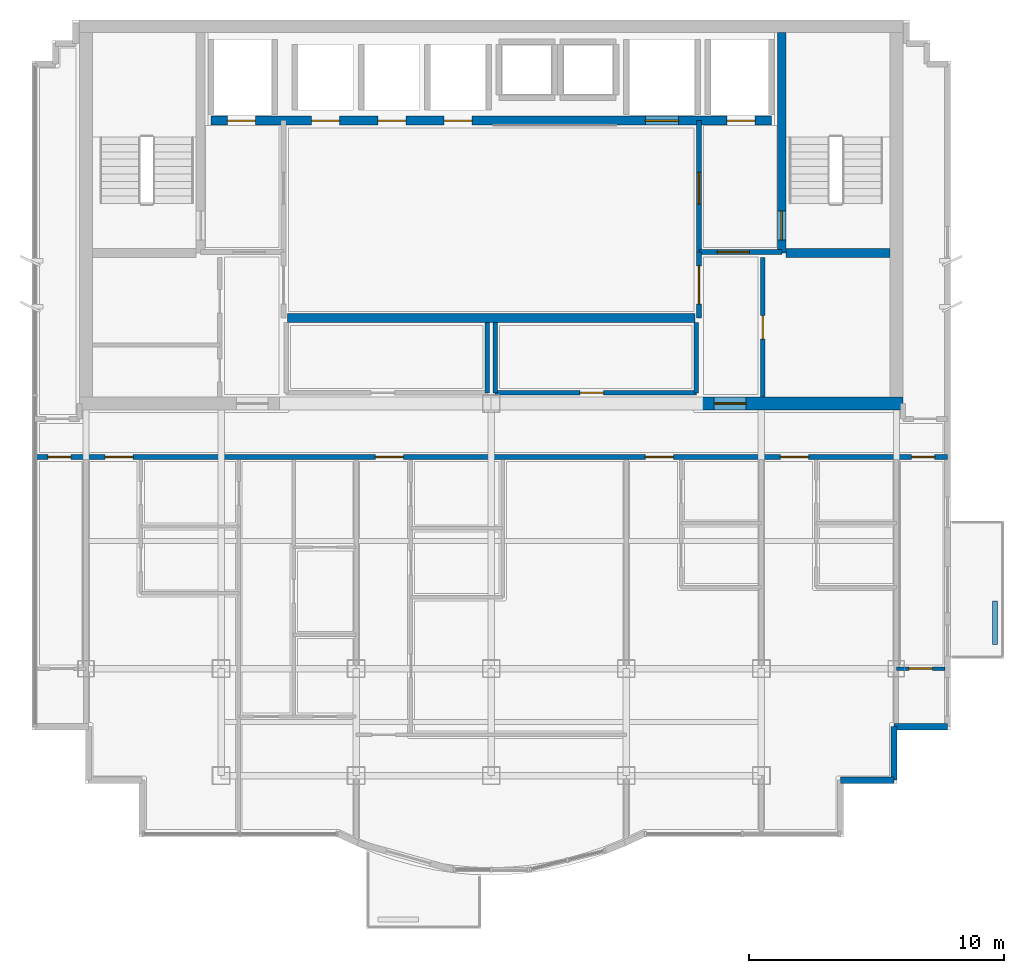
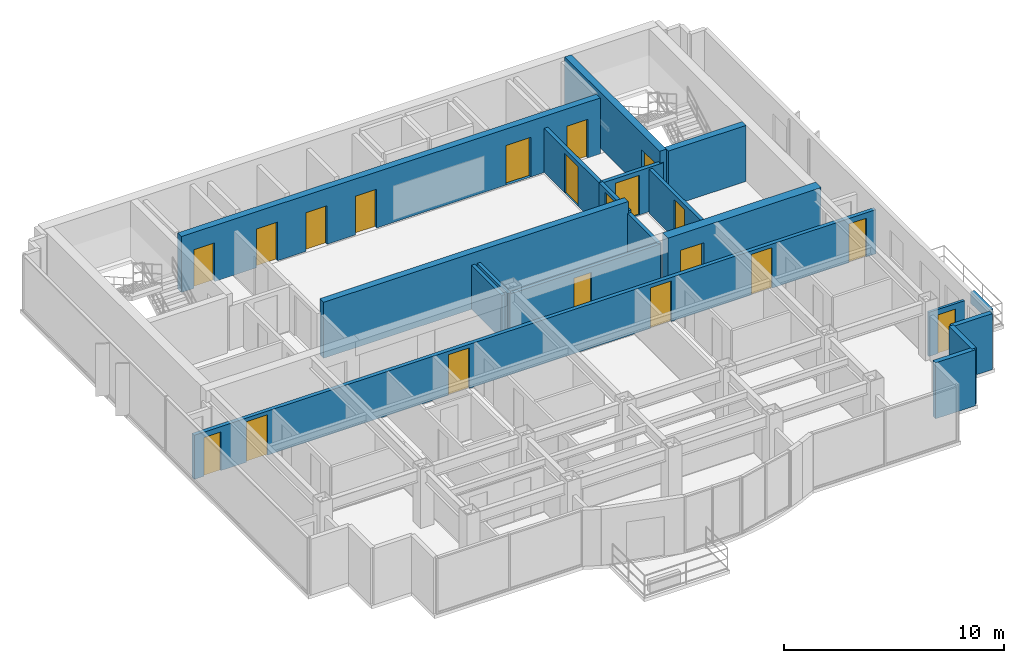
# One storey, part 6 of 9: 20 doors, 19 walls, 20 openings.
"""IFC4 building model written with IfcOpenShell, lengths in metres."""

from ifc_helpers import new_model, si_unit, direction, frame, frame_2d, origin, place, context, subcontext, project, spatial, rectangle, extrude, material, layer, layer_set, type_object, element, fill, save


model = new_model("IFC4")

# Units and contexts
model_context = context("Model", 3, precision=1e-05, world=origin(), true_north=direction((0.0, 1.0)))
body_context = subcontext(model_context, "Body", "Model", "MODEL_VIEW")
ifc_project = project(units=[si_unit("LENGTHUNIT", "METRE"), si_unit("AREAUNIT", "SQUARE_METRE"), si_unit("VOLUMEUNIT", "CUBIC_METRE"), si_unit("PLANEANGLEUNIT", "RADIAN"), si_unit("MASSUNIT", "GRAM", prefix="KILO")], contexts=[model_context])

# Site, building, storey
site_placement = place(None, origin())
site = spatial("IfcSite", under=ifc_project, at=site_placement, CompositionType="ELEMENT")
building_placement = place(site_placement, origin())
building = spatial("IfcBuilding", under=site, at=building_placement, Name="Qianlan Lanfeng Residences", CompositionType="ELEMENT")
storey_placement = place(building_placement, frame((0.0, 0.0, 246.199951171875)))
storey = spatial("IfcBuildingStorey", under=building, at=storey_placement, Name="L68", CompositionType="ELEMENT", Elevation=246.199951171875)

# Wall, opening, door
ifc_material_1 = material(Name="Concrete C49", Category="concrete")
ifc_layer_1 = layer(ifc_material_1, 0.35009765625)
ifc_layer_set_1 = layer_set([ifc_layer_1], Name="Concrete C49")
wall_type_1 = type_object("IfcWallType", Name="CW-RC-350", PredefinedType="SHEAR", material=ifc_layer_set_1)
wall_1_placement = place(storey_placement, frame((37.89990234375, 31.10009765625, 0.0), z_axis=(0.0, 0.0, 1.0), x_axis=(0.0, 1.0, 0.0)))
wall_1 = element("IfcWall", 1, at=wall_1_placement, inside=storey, type_object=wall_type_1, Name="L68 Core Shear Wall ST2W", PredefinedType="SHEAR", context=body_context, shape_type="SweptSolid", body=[
    extrude(rectangle(XDim=8.64990234375, YDim=0.35009765625, at=frame_2d((4.324951171875, 0.0))), origin(), (0.0, 0.0, 1.0), 3.110107421875),
])
opening_1_placement = place(wall_1_placement, frame((0.510009765625, 0.0, 0.0)))
opening_1 = element("IfcOpeningElement", 2, at=opening_1_placement, cuts=wall_1, Name="Opening L68-D08", PredefinedType="OPENING", context=body_context, shape_type="SweptSolid", body=[
    extrude(rectangle(XDim=1.14990234375, YDim=2.199951171875, at=frame_2d((0.574951171875, 1.10009765625))), frame((0.0, 0.18505859375, 0.0), z_axis=(0.0, -1.0, 0.0), x_axis=(1.0, 0.0, 0.0)), (0.0, 0.0, 1.0), 0.3701171875),
])
ifc_material_2 = material(Name="Painted Galvanised Steel Fire Door", Category="steel")
door_type_1 = type_object("IfcDoorType", Name="DT-ST1", OperationType="NOTDEFINED", PredefinedType="DOOR", material=ifc_material_2)
door_1_placement = place(opening_1_placement, origin())
door_1 = element("IfcDoor", 3, at=door_1_placement, inside=storey, type_object=door_type_1, Name="L68 Exit Stair ST-2 Door L68-D08 (DT-ST1)", OperationType="SINGLE_SWING_RIGHT", OverallHeight=2.199951171875, OverallWidth=1.14990234375, PredefinedType="DOOR", context=body_context, shape_type="SweptSolid", body=[
    extrude(rectangle(XDim=1.14990234375, YDim=2.199951171875, at=frame_2d((0.574951171875, 1.10009765625))), frame((0.0, 0.02490234375, 0.0), z_axis=(0.0, -1.0, 0.0), x_axis=(1.0, 0.0, 0.0)), (0.0, 0.0, 1.0), 0.050048828125),
])
fill(opening_1, door_1)

# Wall
wall_2_placement = place(storey_placement, frame((38.074951171875, 31.10009765625, 0.0), z_axis=(0.0, 0.0, 1.0), x_axis=(1.0, 0.0, 0.0)))
element("IfcWall", 4, at=wall_2_placement, inside=storey, type_object=wall_type_1, Name="L68 Core Shear Wall ST2S", PredefinedType="SHEAR", context=body_context, shape_type="SweptSolid", body=[
    extrude(rectangle(XDim=4.074951171875, YDim=0.35009765625, at=frame_2d((2.03759765625, 0.0))), origin(), (0.0, 0.0, 1.0), 3.110107421875),
])

# Wall, openings, doors
wall_3_placement = place(storey_placement, frame((15.5, 36.300048828125, 0.0), z_axis=(0.0, 0.0, 1.0), x_axis=(1.0, 0.0, 0.0)))
wall_3 = element("IfcWall", 5, at=wall_3_placement, inside=storey, type_object=wall_type_1, Name="L68 Core Shear Wall LBN", PredefinedType="SHEAR", context=body_context, shape_type="SweptSolid", body=[
    extrude(rectangle(XDim=22.0, YDim=0.35009765625, at=frame_2d((11.0, 0.0))), origin(), (0.0, 0.0, 1.0), 3.110107421875),
])
opening_2_placement = place(wall_3_placement, frame((0.64990234375, 0.0, 0.0)))
opening_2 = element("IfcOpeningElement", 6, at=opening_2_placement, cuts=wall_3, Name="Opening L68-LD-FFL-1", PredefinedType="OPENING", context=body_context, shape_type="SweptSolid", body=[
    extrude(rectangle(XDim=1.10009765625, YDim=2.14990234375, at=frame_2d((0.550048828125, 1.074951171875))), frame((0.0, 0.18505859375, 0.0), z_axis=(0.0, -1.0, 0.0), x_axis=(1.0, 0.0, 0.0)), (0.0, 0.0, 1.0), 0.3701171875),
])
opening_3_placement = place(wall_3_placement, frame((20.25, 0.0, 0.0)))
opening_3 = element("IfcOpeningElement", 7, at=opening_3_placement, cuts=wall_3, Name="Opening L68-LD-FFL-2", PredefinedType="OPENING", context=body_context, shape_type="SweptSolid", body=[
    extrude(rectangle(XDim=1.10009765625, YDim=2.14990234375, at=frame_2d((0.550048828125, 1.074951171875))), frame((0.0, 0.18505859375, 0.0), z_axis=(0.0, -1.0, 0.0), x_axis=(1.0, 0.0, 0.0)), (0.0, 0.0, 1.0), 0.3701171875),
])
opening_4_placement = place(wall_3_placement, frame((17.050048828125, 0.0, 0.0)))
opening_4 = element("IfcOpeningElement", 8, at=opening_4_placement, cuts=wall_3, Name="Opening L68-LD-SVL-1", PredefinedType="OPENING", context=body_context, shape_type="SweptSolid", body=[
    extrude(rectangle(XDim=1.300048828125, YDim=2.199951171875, at=frame_2d((0.64990234375, 1.10009765625))), frame((0.0, 0.18505859375, 0.0), z_axis=(0.0, -1.0, 0.0), x_axis=(1.0, 0.0, 0.0)), (0.0, 0.0, 1.0), 0.3701171875),
])
opening_5_placement = place(wall_3_placement, frame((3.949951171875, 0.0, 0.0)))
opening_5 = element("IfcOpeningElement", 9, at=opening_5_placement, cuts=wall_3, Name="Opening L68-LD-PL-H1", PredefinedType="OPENING", context=body_context, shape_type="SweptSolid", body=[
    extrude(rectangle(XDim=1.10009765625, YDim=2.14990234375, at=frame_2d((0.550048828125, 1.074951171875))), frame((0.0, 0.18505859375, 0.0), z_axis=(0.0, -1.0, 0.0), x_axis=(1.0, 0.0, 0.0)), (0.0, 0.0, 1.0), 0.3701171875),
])
opening_6_placement = place(wall_3_placement, frame((6.550048828125, 0.0, 0.0)))
opening_6 = element("IfcOpeningElement", 10, at=opening_6_placement, cuts=wall_3, Name="Opening L68-LD-PL-H2", PredefinedType="OPENING", context=body_context, shape_type="SweptSolid", body=[
    extrude(rectangle(XDim=1.10009765625, YDim=2.14990234375, at=frame_2d((0.550048828125, 1.074951171875))), frame((0.0, 0.18505859375, 0.0), z_axis=(0.0, -1.0, 0.0), x_axis=(1.0, 0.0, 0.0)), (0.0, 0.0, 1.0), 0.3701171875),
])
opening_7_placement = place(wall_3_placement, frame((9.14990234375, 0.0, 0.0)))
opening_7 = element("IfcOpeningElement", 11, at=opening_7_placement, cuts=wall_3, Name="Opening L68-LD-PL-H3", PredefinedType="OPENING", context=body_context, shape_type="SweptSolid", body=[
    extrude(rectangle(XDim=1.10009765625, YDim=2.14990234375, at=frame_2d((0.550048828125, 1.074951171875))), frame((0.0, 0.18505859375, 0.0), z_axis=(0.0, -1.0, 0.0), x_axis=(1.0, 0.0, 0.0)), (0.0, 0.0, 1.0), 0.3701171875),
])
ifc_material_3 = material(Name="Brushed Stainless Steel Sliding Lift Door", Category="steel")
door_type_2 = type_object("IfcDoorType", Name="LD-01", OperationType="NOTDEFINED", PredefinedType="DOOR", material=ifc_material_3)
door_2_placement = place(opening_2_placement, frame((1.10009765625, 0.0, 0.0), z_axis=(0.0, 0.0, 1.0), x_axis=(-1.0, 0.0, 0.0)))
door_2 = element("IfcDoor", 12, at=door_2_placement, inside=storey, type_object=door_type_2, Name="L68 Elevator FFL-1 Sliding Landing Door", OperationType="DOUBLE_DOOR_SLIDING", OverallHeight=2.14990234375, OverallWidth=1.10009765625, PredefinedType="DOOR", context=body_context, shape_type="SweptSolid", body=[
    extrude(rectangle(XDim=1.10009765625, YDim=2.14990234375, at=frame_2d((0.550048828125, 1.074951171875))), frame((0.0, 0.02490234375, 0.0), z_axis=(0.0, -1.0, 0.0), x_axis=(1.0, 0.0, 0.0)), (0.0, 0.0, 1.0), 0.050048828125),
])
fill(opening_2, door_2)
door_3_placement = place(opening_3_placement, frame((1.10009765625, 0.0, 0.0), z_axis=(0.0, 0.0, 1.0), x_axis=(-1.0, 0.0, 0.0)))
door_3 = element("IfcDoor", 13, at=door_3_placement, inside=storey, type_object=door_type_2, Name="L68 Elevator FFL-2 Sliding Landing Door", OperationType="DOUBLE_DOOR_SLIDING", OverallHeight=2.14990234375, OverallWidth=1.10009765625, PredefinedType="DOOR", context=body_context, shape_type="SweptSolid", body=[
    extrude(rectangle(XDim=1.10009765625, YDim=2.14990234375, at=frame_2d((0.550048828125, 1.074951171875))), frame((0.0, 0.02490234375, 0.0), z_axis=(0.0, -1.0, 0.0), x_axis=(1.0, 0.0, 0.0)), (0.0, 0.0, 1.0), 0.050048828125),
])
fill(opening_3, door_3)
door_4_placement = place(opening_5_placement, frame((1.10009765625, 0.0, 0.0), z_axis=(0.0, 0.0, 1.0), x_axis=(-1.0, 0.0, 0.0)))
door_4 = element("IfcDoor", 14, at=door_4_placement, inside=storey, type_object=door_type_2, Name="L68 Elevator PL-H1 Sliding Landing Door", OperationType="DOUBLE_DOOR_SLIDING", OverallHeight=2.14990234375, OverallWidth=1.10009765625, PredefinedType="DOOR", context=body_context, shape_type="SweptSolid", body=[
    extrude(rectangle(XDim=1.10009765625, YDim=2.14990234375, at=frame_2d((0.550048828125, 1.074951171875))), frame((0.0, 0.02490234375, 0.0), z_axis=(0.0, -1.0, 0.0), x_axis=(1.0, 0.0, 0.0)), (0.0, 0.0, 1.0), 0.050048828125),
])
fill(opening_5, door_4)
door_5_placement = place(opening_6_placement, frame((1.10009765625, 0.0, 0.0), z_axis=(0.0, 0.0, 1.0), x_axis=(-1.0, 0.0, 0.0)))
door_5 = element("IfcDoor", 15, at=door_5_placement, inside=storey, type_object=door_type_2, Name="L68 Elevator PL-H2 Sliding Landing Door", OperationType="DOUBLE_DOOR_SLIDING", OverallHeight=2.14990234375, OverallWidth=1.10009765625, PredefinedType="DOOR", context=body_context, shape_type="SweptSolid", body=[
    extrude(rectangle(XDim=1.10009765625, YDim=2.14990234375, at=frame_2d((0.550048828125, 1.074951171875))), frame((0.0, 0.02490234375, 0.0), z_axis=(0.0, -1.0, 0.0), x_axis=(1.0, 0.0, 0.0)), (0.0, 0.0, 1.0), 0.050048828125),
])
fill(opening_6, door_5)
door_6_placement = place(opening_7_placement, frame((1.10009765625, 0.0, 0.0), z_axis=(0.0, 0.0, 1.0), x_axis=(-1.0, 0.0, 0.0)))
door_6 = element("IfcDoor", 16, at=door_6_placement, inside=storey, type_object=door_type_2, Name="L68 Elevator PL-H3 Sliding Landing Door", OperationType="DOUBLE_DOOR_SLIDING", OverallHeight=2.14990234375, OverallWidth=1.10009765625, PredefinedType="DOOR", context=body_context, shape_type="SweptSolid", body=[
    extrude(rectangle(XDim=1.10009765625, YDim=2.14990234375, at=frame_2d((0.550048828125, 1.074951171875))), frame((0.0, 0.02490234375, 0.0), z_axis=(0.0, -1.0, 0.0), x_axis=(1.0, 0.0, 0.0)), (0.0, 0.0, 1.0), 0.050048828125),
])
fill(opening_7, door_6)
door_type_3 = type_object("IfcDoorType", Name="LD-02", OperationType="NOTDEFINED", PredefinedType="DOOR", material=ifc_material_3)
door_7_placement = place(opening_4_placement, frame((1.300048828125, 0.0, 0.0), z_axis=(0.0, 0.0, 1.0), x_axis=(-1.0, 0.0, 0.0)))
door_7 = element("IfcDoor", 17, at=door_7_placement, inside=storey, type_object=door_type_3, Name="L68 Elevator SVL-1 Sliding Landing Door", OperationType="DOUBLE_DOOR_SLIDING", OverallHeight=2.199951171875, OverallWidth=1.300048828125, PredefinedType="DOOR", context=body_context, shape_type="SweptSolid", body=[
    extrude(rectangle(XDim=1.300048828125, YDim=2.199951171875, at=frame_2d((0.64990234375, 1.10009765625))), frame((0.0, 0.02490234375, 0.0), z_axis=(0.0, -1.0, 0.0), x_axis=(1.0, 0.0, 0.0)), (0.0, 0.0, 1.0), 0.050048828125),
])
fill(opening_4, door_7)

# Wall
wall_4_placement = place(storey_placement, frame((18.5, 28.550048828125, 0.0), z_axis=(0.0, 0.0, 1.0), x_axis=(1.0, 0.0, 0.0)))
element("IfcWall", 18, at=wall_4_placement, inside=storey, type_object=wall_type_1, Name="L68 Core Shear Wall LBS", PredefinedType="SHEAR", context=body_context, shape_type="SweptSolid", body=[
    extrude(rectangle(XDim=16.0, YDim=0.35009765625, at=frame_2d((8.0, 0.0))), origin(), (0.0, 0.0, 1.0), 3.110107421875),
])

# Wall, opening, door
ifc_material_4 = material(Name="Concrete C70", Category="concrete")
ifc_layer_2 = layer(ifc_material_4, 0.5)
ifc_layer_set_2 = layer_set([ifc_layer_2], Name="Concrete C70")
wall_type_2 = type_object("IfcWallType", Name="CW-RC-500", PredefinedType="SHEAR", material=ifc_layer_set_2)
wall_5_placement = place(storey_placement, frame((34.60009765625, 25.199951171875, 0.0), z_axis=(0.0, 0.0, 1.0), x_axis=(1.0, 0.0, 0.0)))
wall_5 = element("IfcWall", 19, at=wall_5_placement, inside=storey, type_object=wall_type_2, Name="L68 Core Shear Wall SE", PredefinedType="SHEAR", context=body_context, shape_type="SweptSolid", body=[
    extrude(rectangle(XDim=8.0498046875, YDim=0.5, at=frame_2d((4.02490234375, 0.0))), origin(), (0.0, 0.0, 1.0), 3.110107421875),
])
opening_8_placement = place(wall_5_placement, frame((0.64990234375, 0.0, 0.0)))
opening_8 = element("IfcOpeningElement", 20, at=opening_8_placement, cuts=wall_5, Name="Opening L68-D02", PredefinedType="OPENING", context=body_context, shape_type="SweptSolid", body=[
    extrude(rectangle(XDim=1.25, YDim=2.199951171875, at=frame_2d((0.625, 1.10009765625))), frame((0.0, 0.260009765625, 0.0), z_axis=(0.0, -1.0, 0.0), x_axis=(1.0, 0.0, 0.0)), (0.0, 0.0, 1.0), 0.52001953125),
])
door_type_4 = type_object("IfcDoorType", Name="DT-FFL", OperationType="NOTDEFINED", PredefinedType="DOOR", material=ifc_material_2)
door_8_placement = place(opening_8_placement, frame((1.25, 0.0, 0.0), z_axis=(0.0, 0.0, 1.0), x_axis=(-1.0, 0.0, 0.0)))
door_8 = element("IfcDoor", 21, at=door_8_placement, inside=storey, type_object=door_type_4, Name="L68 East Core Lobby Smoke Door L68-D02 (DT-FFL)", OperationType="SINGLE_SWING_LEFT", OverallHeight=2.199951171875, OverallWidth=1.25, PredefinedType="DOOR", context=body_context, shape_type="SweptSolid", body=[
    extrude(rectangle(XDim=1.25, YDim=2.199951171875, at=frame_2d((0.625, 1.10009765625))), frame((0.0, 0.02490234375, 0.0), z_axis=(0.0, -1.0, 0.0), x_axis=(1.0, 0.0, 0.0)), (0.0, 0.0, 1.0), 0.050048828125),
])
fill(opening_8, door_8)

# Walls
ifc_material_5 = material(Name="Concrete C42", Category="concrete")
ifc_layer_3 = layer(ifc_material_5, 0.239990234375)
ifc_layer_set_3 = layer_set([ifc_layer_3], Name="Concrete C42")
wall_type_3 = type_object("IfcWallType", Name="EW-240", PredefinedType="SOLIDWALL", material=ifc_layer_set_3)
for number, where, z_axis, x_axis, name in (
    (22, (40.199951171875, 10.419921875, 0.0), (0.0, 0.0, 1.0), (1.0, 0.0, 0.0), "L68 Exterior Facade Spandrel Wall 10"),
    (23, (42.300048828125, 10.419921875, 0.0), (0.0, 0.0, 1.0), (0.0, 1.0, 0.0), "L68 Exterior Facade Spandrel Wall 11"),
):
    element("IfcWall", number, at=place(storey_placement, frame(where, z_axis=z_axis, x_axis=x_axis)), inside=storey, type_object=wall_type_3, Name=name, PredefinedType="SOLIDWALL", context=body_context, shape_type="SweptSolid", body=[
        extrude(rectangle(XDim=2.10009765625, YDim=0.239990234375, at=frame_2d((1.050048828125, 0.0))), origin(), (0.0, 0.0, 1.0), 3.110107421875),
    ])
wall_6_placement = place(storey_placement, frame((42.300048828125, 12.52001953125, 0.0), z_axis=(0.0, 0.0, 1.0), x_axis=(1.0, 0.0, 0.0)))
element("IfcWall", 24, at=wall_6_placement, inside=storey, type_object=wall_type_3, Name="L68 Exterior Facade Spandrel Wall 12", PredefinedType="SOLIDWALL", context=body_context, shape_type="SweptSolid", body=[
    extrude(rectangle(XDim=2.099853515625, YDim=0.239990234375, at=frame_2d((1.0498046875, 0.0))), origin(), (0.0, 0.0, 1.0), 3.110107421875),
])
ifc_layer_4 = layer(ifc_material_5, 0.199951171875)
ifc_layer_set_4 = layer_set([ifc_layer_4], Name="Concrete C42")
wall_type_4 = type_object("IfcWallType", Name="PL-TREE-200", PredefinedType="PARAPET", material=ifc_layer_set_4)
wall_7_placement = place(storey_placement, frame((46.27001953125, 15.75, 0.0), z_axis=(0.0, 0.0, 1.0), x_axis=(0.0, 1.0, 0.0)))
element("IfcWall", 25, at=wall_7_placement, inside=storey, type_object=wall_type_4, Name="L68 East Tree Planter Curb EB-S", PredefinedType="PARAPET", context=body_context, shape_type="SweptSolid", body=[
    extrude(rectangle(XDim=1.699951171875, YDim=0.199951171875, at=frame_2d((0.85009765625, 0.0))), origin(), (0.0, 0.0, 1.0), 0.650146484375),
])

# Wall, opening, door
ifc_material_6 = material(Name="Moisture-Resistant Gypsum Partition 135 mm")
ifc_layer_5 = layer(ifc_material_6, 0.135009765625)
ifc_layer_set_5 = layer_set([ifc_layer_5], Name="Moisture-Resistant Gypsum Partition 135 mm")
wall_type_5 = type_object("IfcWallType", Name="PW-135", PredefinedType="PARTITIONING", material=ifc_layer_set_5)
wall_8_placement = place(storey_placement, frame((42.39990234375, 14.800048828125, 0.0), z_axis=(0.0, 0.0, 1.0), x_axis=(1.0, 0.0, 0.0)))
wall_8 = element("IfcWall", 26, at=wall_8_placement, inside=storey, type_object=wall_type_5, Name="L68 SEP Mid Partition", PredefinedType="PARTITIONING", context=body_context, shape_type="SweptSolid", body=[
    extrude(rectangle(XDim=1.900146484375, YDim=0.135009765625, at=frame_2d((0.9501953125, 0.0))), origin(), (0.0, 0.0, 1.0), 2.449951171875),
])
opening_9_placement = place(wall_8_placement, frame((0.489990234375, 0.0, 0.0)))
opening_9 = element("IfcOpeningElement", 27, at=opening_9_placement, cuts=wall_8, Name="Opening L68-D37", PredefinedType="OPENING", context=body_context, shape_type="SweptSolid", body=[
    extrude(rectangle(XDim=0.919921875, YDim=2.14990234375, at=frame_2d((0.4599609375, 1.074951171875))), frame((0.0, 0.07763671875, 0.0), z_axis=(0.0, -1.0, 0.0), x_axis=(1.0, 0.0, 0.0)), (0.0, 0.0, 1.0), 0.155029296875),
])
ifc_material_7 = material(Name="Glazed Timber Kitchen/Study Door", Category="wood")
door_type_5 = type_object("IfcDoorType", Name="DT-INT", OperationType="NOTDEFINED", PredefinedType="DOOR", material=ifc_material_7)
door_9_placement = place(opening_9_placement, origin())
door_9 = element("IfcDoor", 28, at=door_9_placement, inside=storey, type_object=door_type_5, Name="L68 SEP Inner Door L68-D37 (DT-INT)", OperationType="SINGLE_SWING_RIGHT", OverallHeight=2.14990234375, OverallWidth=0.919921875, PredefinedType="DOOR", context=body_context, shape_type="SweptSolid", body=[
    extrude(rectangle(XDim=0.919921875, YDim=2.14990234375, at=frame_2d((0.4599609375, 1.074951171875))), frame((0.0, 0.02490234375, 0.0), z_axis=(0.0, -1.0, 0.0), x_axis=(1.0, 0.0, 0.0)), (0.0, 0.0, 1.0), 0.050048828125),
])
fill(opening_9, door_9)

ifc_material_8 = material(Name="Double-Layer Acoustic Gypsum Stud Wall 180 mm")
ifc_layer_6 = layer(ifc_material_8, 0.179931640625)
ifc_layer_set_6 = layer_set([ifc_layer_6], Name="Double-Layer Acoustic Gypsum Stud Wall 180 mm")
wall_type_6 = type_object("IfcWallType", Name="PW-180", PredefinedType="PARTITIONING", material=ifc_layer_set_6)
wall_9_placement = place(storey_placement, frame((37.14990234375, 25.449951171875, 0.0), z_axis=(0.0, 0.0, 1.0), x_axis=(0.0, 1.0, 0.0)))
wall_9 = element("IfcWall", 29, at=wall_9_placement, inside=storey, type_object=wall_type_6, Name="L68 Core East Service Room Wall", PredefinedType="PARTITIONING", context=body_context, shape_type="SweptSolid", body=[
    extrude(rectangle(XDim=5.47509765625, YDim=0.179931640625, at=frame_2d((2.737548828125, 0.0))), origin(), (0.0, 0.0, 1.0), 2.449951171875),
])
opening_10_placement = place(wall_9_placement, frame((2.277099609375, 0.0, 0.0)))
opening_10 = element("IfcOpeningElement", 30, at=opening_10_placement, cuts=wall_9, Name="Opening L68-D11", PredefinedType="OPENING", context=body_context, shape_type="SweptSolid", body=[
    extrude(rectangle(XDim=0.919921875, YDim=2.14990234375, at=frame_2d((0.4599609375, 1.074951171875))), frame((0.0, 0.10009765625, 0.0), z_axis=(0.0, -1.0, 0.0), x_axis=(1.0, 0.0, 0.0)), (0.0, 0.0, 1.0), 0.199951171875),
])
door_10_placement = place(opening_10_placement, origin())
door_10 = element("IfcDoor", 31, at=door_10_placement, inside=storey, type_object=door_type_5, Name="L68 Mail Parcel Closet Door L68-D11 (DT-INT)", OperationType="SINGLE_SWING_LEFT", OverallHeight=2.14990234375, OverallWidth=0.919921875, PredefinedType="DOOR", context=body_context, shape_type="SweptSolid", body=[
    extrude(rectangle(XDim=0.919921875, YDim=2.14990234375, at=frame_2d((0.4599609375, 1.074951171875))), frame((0.0, 0.02490234375, 0.0), z_axis=(0.0, -1.0, 0.0), x_axis=(1.0, 0.0, 0.0)), (0.0, 0.0, 1.0), 0.050048828125),
])
fill(opening_10, door_10)

# Walls
for number, where, z_axis, x_axis, name in (
    (32, (26.35009765625, 25.6201171875, 0.0), (0.0, 0.0, 1.0), (0.0, 1.0, 0.0), "L68 Reclaimed Low-Bank Room East Wall"),
    (33, (26.64990234375, 25.6201171875, 0.0), (0.0, 0.0, 1.0), (0.0, 1.0, 0.0), "L68 Reclaimed Mid-Bank Room West Wall"),
    (34, (34.550048828125, 25.6201171875, 0.0), (0.0, 0.0, 1.0), (0.0, 1.0, 0.0), "L68 Reclaimed Mid-Bank Room East Wall"),
):
    element("IfcWall", number, at=place(storey_placement, frame(where, z_axis=z_axis, x_axis=x_axis)), inside=storey, type_object=wall_type_6, Name=name, PredefinedType="PARTITIONING", context=body_context, shape_type="SweptSolid", body=[
        extrude(rectangle(XDim=2.7548828125, YDim=0.179931640625, at=frame_2d((1.37744140625, 0.0))), origin(), (0.0, 0.0, 1.0), 2.449951171875),
    ])

# Wall, opening, door
wall_10_placement = place(storey_placement, frame((26.64990234375, 25.6201171875, 0.0), z_axis=(0.0, 0.0, 1.0), x_axis=(1.0, 0.0, 0.0)))
wall_10 = element("IfcWall", 35, at=wall_10_placement, inside=storey, type_object=wall_type_6, Name="L68 Reclaimed Mid-Bank Room South Wall", PredefinedType="PARTITIONING", context=body_context, shape_type="SweptSolid", body=[
    extrude(rectangle(XDim=7.900146484375, YDim=0.179931640625, at=frame_2d((3.9501953125, 0.0))), origin(), (0.0, 0.0, 1.0), 2.449951171875),
])
opening_11_placement = place(wall_10_placement, frame((3.340087890625, 0.0, 0.0)))
opening_11 = element("IfcOpeningElement", 36, at=opening_11_placement, cuts=wall_10, Name="Opening L68-D15", PredefinedType="OPENING", context=body_context, shape_type="SweptSolid", body=[
    extrude(rectangle(XDim=0.919921875, YDim=2.14990234375, at=frame_2d((0.4599609375, 1.074951171875))), frame((0.0, 0.10009765625, 0.0), z_axis=(0.0, -1.0, 0.0), x_axis=(1.0, 0.0, 0.0)), (0.0, 0.0, 1.0), 0.199951171875),
])
door_11_placement = place(opening_11_placement, origin())
door_11 = element("IfcDoor", 37, at=door_11_placement, inside=storey, type_object=door_type_5, Name="L68 Reclaimed Mid-Bank Salon Door L68-D15 (DT-INT)", OperationType="SINGLE_SWING_LEFT", OverallHeight=2.14990234375, OverallWidth=0.919921875, PredefinedType="DOOR", context=body_context, shape_type="SweptSolid", body=[
    extrude(rectangle(XDim=0.919921875, YDim=2.14990234375, at=frame_2d((0.4599609375, 1.074951171875))), frame((0.0, 0.02490234375, 0.0), z_axis=(0.0, -1.0, 0.0), x_axis=(1.0, 0.0, 0.0)), (0.0, 0.0, 1.0), 0.050048828125),
])
fill(opening_11, door_11)

ifc_material_9 = material(Name="Autoclaved Aerated Concrete Blockwork 200 mm", Category="masonry")
ifc_layer_7 = layer(ifc_material_9, 0.199951171875)
ifc_layer_set_7 = layer_set([ifc_layer_7], Name="Autoclaved Aerated Concrete Blockwork 200 mm")
wall_type_7 = type_object("IfcWallType", Name="PW-200", PredefinedType="PARTITIONING", material=ifc_layer_set_7)
wall_11_placement = place(storey_placement, frame((34.64990234375, 31.14990234375, 0.0), z_axis=(0.0, 0.0, 1.0), x_axis=(1.0, 0.0, 0.0)))
wall_11 = element("IfcWall", 38, at=wall_11_placement, inside=storey, type_object=wall_type_7, Name="L68 Firefighting Lobby 2 South Wall", PredefinedType="PARTITIONING", context=body_context, shape_type="SweptSolid", body=[
    extrude(rectangle(XDim=3.25, YDim=0.199951171875, at=frame_2d((1.625, 0.0))), origin(), (0.0, 0.0, 1.0), 2.449951171875),
])
opening_12_placement = place(wall_11_placement, frame((0.72509765625, 0.0, 0.0)))
opening_12 = element("IfcOpeningElement", 39, at=opening_12_placement, cuts=wall_11, Name="Opening L68-D05", PredefinedType="OPENING", context=body_context, shape_type="SweptSolid", body=[
    extrude(rectangle(XDim=1.25, YDim=2.199951171875, at=frame_2d((0.625, 1.10009765625))), frame((0.0, 0.10986328125, 0.0), z_axis=(0.0, -1.0, 0.0), x_axis=(1.0, 0.0, 0.0)), (0.0, 0.0, 1.0), 0.219970703125),
])
door_12_placement = place(opening_12_placement, origin())
door_12 = element("IfcDoor", 40, at=door_12_placement, inside=storey, type_object=door_type_4, Name="L68 Firefighting Lobby 2 Entry Door L68-D05 (DT-FFL)", OperationType="SINGLE_SWING_RIGHT", OverallHeight=2.199951171875, OverallWidth=1.25, PredefinedType="DOOR", context=body_context, shape_type="SweptSolid", body=[
    extrude(rectangle(XDim=1.25, YDim=2.199951171875, at=frame_2d((0.625, 1.10009765625))), frame((0.0, 0.02490234375, 0.0), z_axis=(0.0, -1.0, 0.0), x_axis=(1.0, 0.0, 0.0)), (0.0, 0.0, 1.0), 0.050048828125),
])
fill(opening_12, door_12)

wall_12_placement = place(storey_placement, frame((34.64990234375, 31.14990234375, 0.0), z_axis=(0.0, 0.0, 1.0), x_axis=(0.0, 1.0, 0.0)))
wall_12 = element("IfcWall", 41, at=wall_12_placement, inside=storey, type_object=wall_type_7, Name="L68 Firefighting Lobby 2 West Wall", PredefinedType="PARTITIONING", context=body_context, shape_type="SweptSolid", body=[
    extrude(rectangle(XDim=5.150146484375, YDim=0.199951171875, at=frame_2d((2.5751953125, 0.0))), origin(), (0.0, 0.0, 1.0), 2.449951171875),
])
opening_13_placement = place(wall_12_placement, frame((1.875, 0.0, 0.0)))
opening_13 = element("IfcOpeningElement", 42, at=opening_13_placement, cuts=wall_12, Name="Opening L68-D06", PredefinedType="OPENING", context=body_context, shape_type="SweptSolid", body=[
    extrude(rectangle(XDim=1.25, YDim=2.199951171875, at=frame_2d((0.625, 1.10009765625))), frame((0.0, 0.10986328125, 0.0), z_axis=(0.0, -1.0, 0.0), x_axis=(1.0, 0.0, 0.0)), (0.0, 0.0, 1.0), 0.219970703125),
])
door_13_placement = place(opening_13_placement, origin())
door_13 = element("IfcDoor", 43, at=door_13_placement, inside=storey, type_object=door_type_4, Name="L68 Firefighting Lobby 2 Lift Lobby Door L68-D06 (DT-FFL)", OperationType="SINGLE_SWING_RIGHT", OverallHeight=2.199951171875, OverallWidth=1.25, PredefinedType="DOOR", context=body_context, shape_type="SweptSolid", body=[
    extrude(rectangle(XDim=1.25, YDim=2.199951171875, at=frame_2d((0.625, 1.10009765625))), frame((0.0, 0.02490234375, 0.0), z_axis=(0.0, -1.0, 0.0), x_axis=(1.0, 0.0, 0.0)), (0.0, 0.0, 1.0), 0.050048828125),
])
fill(opening_13, door_13)

wall_13_placement = place(storey_placement, frame((34.64990234375, 28.550048828125, 0.0), z_axis=(0.0, 0.0, 1.0), x_axis=(0.0, 1.0, 0.0)))
wall_13 = element("IfcWall", 44, at=wall_13_placement, inside=storey, type_object=wall_type_7, Name="L68 Lift Lobby East Connector Wall", PredefinedType="PARTITIONING", context=body_context, shape_type="SweptSolid", body=[
    extrude(rectangle(XDim=2.599853515625, YDim=0.199951171875, at=frame_2d((1.2998046875, 0.0))), origin(), (0.0, 0.0, 1.0), 2.449951171875),
])
opening_14_placement = place(wall_13_placement, frame((0.550048828125, 0.0, 0.0)))
opening_14 = element("IfcOpeningElement", 45, at=opening_14_placement, cuts=wall_13, Name="Opening L68-D13", PredefinedType="OPENING", context=body_context, shape_type="SweptSolid", body=[
    extrude(rectangle(XDim=1.5, YDim=2.25, at=frame_2d((0.75, 1.125))), frame((0.0, 0.10986328125, 0.0), z_axis=(0.0, -1.0, 0.0), x_axis=(1.0, 0.0, 0.0)), (0.0, 0.0, 1.0), 0.219970703125),
])
ifc_material_10 = material(Name="Timber Veneer Acoustic Fire Door", Category="wood")
door_type_6 = type_object("IfcDoorType", Name="DT-COR1", OperationType="NOTDEFINED", PredefinedType="DOOR", material=ifc_material_10)
door_14_placement = place(opening_14_placement, frame((1.5, 0.0, 0.0), z_axis=(0.0, 0.0, 1.0), x_axis=(-1.0, 0.0, 0.0)))
door_14 = element("IfcDoor", 46, at=door_14_placement, inside=storey, type_object=door_type_6, Name="L68 Lift Lobby East Portal Door L68-D13 (DT-COR1)", OperationType="DOUBLE_DOOR_SINGLE_SWING", OverallHeight=2.25, OverallWidth=1.5, PredefinedType="DOOR", context=body_context, shape_type="SweptSolid", body=[
    extrude(rectangle(XDim=1.5, YDim=2.25, at=frame_2d((0.75, 1.125))), frame((0.0, 0.02490234375, 0.0), z_axis=(0.0, -1.0, 0.0), x_axis=(1.0, 0.0, 0.0)), (0.0, 0.0, 1.0), 0.050048828125),
])
fill(opening_14, door_14)

# Wall, openings, doors
wall_14_placement = place(storey_placement, frame((8.60009765625, 23.10009765625, 0.0), z_axis=(0.0, 0.0, 1.0), x_axis=(1.0, 0.0, 0.0)))
wall_14 = element("IfcWall", 47, at=wall_14_placement, inside=storey, type_object=wall_type_7, Name="L68 Residential Corridor South Fire Wall", PredefinedType="PARTITIONING", context=body_context, shape_type="SweptSolid", body=[
    extrude(rectangle(XDim=35.7998046875, YDim=0.199951171875, at=frame_2d((17.89990234375, 0.0))), origin(), (0.0, 0.0, 1.0), 2.449951171875),
])
opening_15_placement = place(wall_14_placement, frame((2.75, 0.0, 0.0)))
opening_15 = element("IfcOpeningElement", 48, at=opening_15_placement, cuts=wall_14, Name="Opening L68-D16", PredefinedType="OPENING", context=body_context, shape_type="SweptSolid", body=[
    extrude(rectangle(XDim=1.10009765625, YDim=2.25, at=frame_2d((0.550048828125, 1.125))), frame((0.0, 0.10986328125, 0.0), z_axis=(0.0, -1.0, 0.0), x_axis=(1.0, 0.0, 0.0)), (0.0, 0.0, 1.0), 0.219970703125),
])
opening_16_placement = place(wall_14_placement, frame((13.35009765625, 0.0, 0.0)))
opening_16 = element("IfcOpeningElement", 49, at=opening_16_placement, cuts=wall_14, Name="Opening L68-D24", PredefinedType="OPENING", context=body_context, shape_type="SweptSolid", body=[
    extrude(rectangle(XDim=1.10009765625, YDim=2.25, at=frame_2d((0.550048828125, 1.125))), frame((0.0, 0.10986328125, 0.0), z_axis=(0.0, -1.0, 0.0), x_axis=(1.0, 0.0, 0.0)), (0.0, 0.0, 1.0), 0.219970703125),
])
opening_17_placement = place(wall_14_placement, frame((23.949951171875, 0.0, 0.0)))
opening_17 = element("IfcOpeningElement", 50, at=opening_17_placement, cuts=wall_14, Name="Opening L68-D29", PredefinedType="OPENING", context=body_context, shape_type="SweptSolid", body=[
    extrude(rectangle(XDim=1.10009765625, YDim=2.25, at=frame_2d((0.550048828125, 1.125))), frame((0.0, 0.10986328125, 0.0), z_axis=(0.0, -1.0, 0.0), x_axis=(1.0, 0.0, 0.0)), (0.0, 0.0, 1.0), 0.219970703125),
])
opening_18_placement = place(wall_14_placement, frame((29.25, 0.0, 0.0)))
opening_18 = element("IfcOpeningElement", 51, at=opening_18_placement, cuts=wall_14, Name="Opening L68-D32", PredefinedType="OPENING", context=body_context, shape_type="SweptSolid", body=[
    extrude(rectangle(XDim=1.10009765625, YDim=2.25, at=frame_2d((0.550048828125, 1.125))), frame((0.0, 0.10986328125, 0.0), z_axis=(0.0, -1.0, 0.0), x_axis=(1.0, 0.0, 0.0)), (0.0, 0.0, 1.0), 0.219970703125),
])
opening_19_placement = place(wall_14_placement, frame((0.5048828125, 0.0, 0.0)))
opening_19 = element("IfcOpeningElement", 52, at=opening_19_placement, cuts=wall_14, Name="Opening L68-D36", PredefinedType="OPENING", context=body_context, shape_type="SweptSolid", body=[
    extrude(rectangle(XDim=0.89990234375, YDim=2.14990234375, at=frame_2d((0.449951171875, 1.074951171875))), frame((0.0, 0.10986328125, 0.0), z_axis=(0.0, -1.0, 0.0), x_axis=(1.0, 0.0, 0.0)), (0.0, 0.0, 1.0), 0.219970703125),
])
opening_20_placement = place(wall_14_placement, frame((34.39501953125, 0.0, 0.0)))
opening_20 = element("IfcOpeningElement", 53, at=opening_20_placement, cuts=wall_14, Name="Opening L68-D38", PredefinedType="OPENING", context=body_context, shape_type="SweptSolid", body=[
    extrude(rectangle(XDim=0.89990234375, YDim=2.14990234375, at=frame_2d((0.449951171875, 1.074951171875))), frame((0.0, 0.10986328125, 0.0), z_axis=(0.0, -1.0, 0.0), x_axis=(1.0, 0.0, 0.0)), (0.0, 0.0, 1.0), 0.219970703125),
])
ifc_material_11 = material(Name="Solid-Core Oak Veneer Fire Door")
door_type_7 = type_object("IfcDoorType", Name="DT-UNIT", OperationType="NOTDEFINED", PredefinedType="DOOR", material=ifc_material_11)
door_15_placement = place(opening_15_placement, origin())
door_15 = element("IfcDoor", 54, at=door_15_placement, inside=storey, type_object=door_type_7, Name="L68 Apartment U01 Entrance Door L68-D16 (DT-UNIT)", OperationType="SINGLE_SWING_RIGHT", OverallHeight=2.25, OverallWidth=1.10009765625, PredefinedType="DOOR", context=body_context, shape_type="SweptSolid", body=[
    extrude(rectangle(XDim=1.10009765625, YDim=2.25, at=frame_2d((0.550048828125, 1.125))), frame((0.0, 0.02490234375, 0.0), z_axis=(0.0, -1.0, 0.0), x_axis=(1.0, 0.0, 0.0)), (0.0, 0.0, 1.0), 0.050048828125),
])
fill(opening_15, door_15)
door_16_placement = place(opening_16_placement, origin())
door_16 = element("IfcDoor", 55, at=door_16_placement, inside=storey, type_object=door_type_7, Name="L68 Apartment U02 Entrance Door L68-D24 (DT-UNIT)", OperationType="SINGLE_SWING_RIGHT", OverallHeight=2.25, OverallWidth=1.10009765625, PredefinedType="DOOR", context=body_context, shape_type="SweptSolid", body=[
    extrude(rectangle(XDim=1.10009765625, YDim=2.25, at=frame_2d((0.550048828125, 1.125))), frame((0.0, 0.02490234375, 0.0), z_axis=(0.0, -1.0, 0.0), x_axis=(1.0, 0.0, 0.0)), (0.0, 0.0, 1.0), 0.050048828125),
])
fill(opening_16, door_16)
door_17_placement = place(opening_17_placement, frame((1.10009765625, 0.0, 0.0), z_axis=(0.0, 0.0, 1.0), x_axis=(-1.0, 0.0, 0.0)))
door_17 = element("IfcDoor", 56, at=door_17_placement, inside=storey, type_object=door_type_7, Name="L68 Apartment U03 Entrance Door L68-D29 (DT-UNIT)", OperationType="SINGLE_SWING_RIGHT", OverallHeight=2.25, OverallWidth=1.10009765625, PredefinedType="DOOR", context=body_context, shape_type="SweptSolid", body=[
    extrude(rectangle(XDim=1.10009765625, YDim=2.25, at=frame_2d((0.550048828125, 1.125))), frame((0.0, 0.02490234375, 0.0), z_axis=(0.0, -1.0, 0.0), x_axis=(1.0, 0.0, 0.0)), (0.0, 0.0, 1.0), 0.050048828125),
])
fill(opening_17, door_17)
door_18_placement = place(opening_18_placement, origin())
door_18 = element("IfcDoor", 57, at=door_18_placement, inside=storey, type_object=door_type_7, Name="L68 Apartment U04 Entrance Door L68-D32 (DT-UNIT)", OperationType="SINGLE_SWING_RIGHT", OverallHeight=2.25, OverallWidth=1.10009765625, PredefinedType="DOOR", context=body_context, shape_type="SweptSolid", body=[
    extrude(rectangle(XDim=1.10009765625, YDim=2.25, at=frame_2d((0.550048828125, 1.125))), frame((0.0, 0.02490234375, 0.0), z_axis=(0.0, -1.0, 0.0), x_axis=(1.0, 0.0, 0.0)), (0.0, 0.0, 1.0), 0.050048828125),
])
fill(opening_18, door_18)
ifc_material_12 = material(Name="Moisture-Resistant Timber Leaf", Category="wood")
door_type_8 = type_object("IfcDoorType", Name="DT-WC", OperationType="NOTDEFINED", PredefinedType="DOOR", material=ifc_material_12)
door_19_placement = place(opening_19_placement, frame((0.89990234375, 0.0, 0.0), z_axis=(0.0, 0.0, 1.0), x_axis=(-1.0, 0.0, 0.0)))
door_19 = element("IfcDoor", 58, at=door_19_placement, inside=storey, type_object=door_type_8, Name="L68 SWP Corridor Door L68-D36 (DT-WC)", OperationType="SINGLE_SWING_LEFT", OverallHeight=2.14990234375, OverallWidth=0.89990234375, PredefinedType="DOOR", context=body_context, shape_type="SweptSolid", body=[
    extrude(rectangle(XDim=0.89990234375, YDim=2.14990234375, at=frame_2d((0.449951171875, 1.074951171875))), frame((0.0, 0.02490234375, 0.0), z_axis=(0.0, -1.0, 0.0), x_axis=(1.0, 0.0, 0.0)), (0.0, 0.0, 1.0), 0.050048828125),
])
fill(opening_19, door_19)
door_20_placement = place(opening_20_placement, origin())
door_20 = element("IfcDoor", 59, at=door_20_placement, inside=storey, type_object=door_type_8, Name="L68 SEP Corridor Door L68-D38 (DT-WC)", OperationType="SINGLE_SWING_LEFT", OverallHeight=2.14990234375, OverallWidth=0.89990234375, PredefinedType="DOOR", context=body_context, shape_type="SweptSolid", body=[
    extrude(rectangle(XDim=0.89990234375, YDim=2.14990234375, at=frame_2d((0.449951171875, 1.074951171875))), frame((0.0, 0.02490234375, 0.0), z_axis=(0.0, -1.0, 0.0), x_axis=(1.0, 0.0, 0.0)), (0.0, 0.0, 1.0), 0.050048828125),
])
fill(opening_20, door_20)

save(model, "model.ifc")
